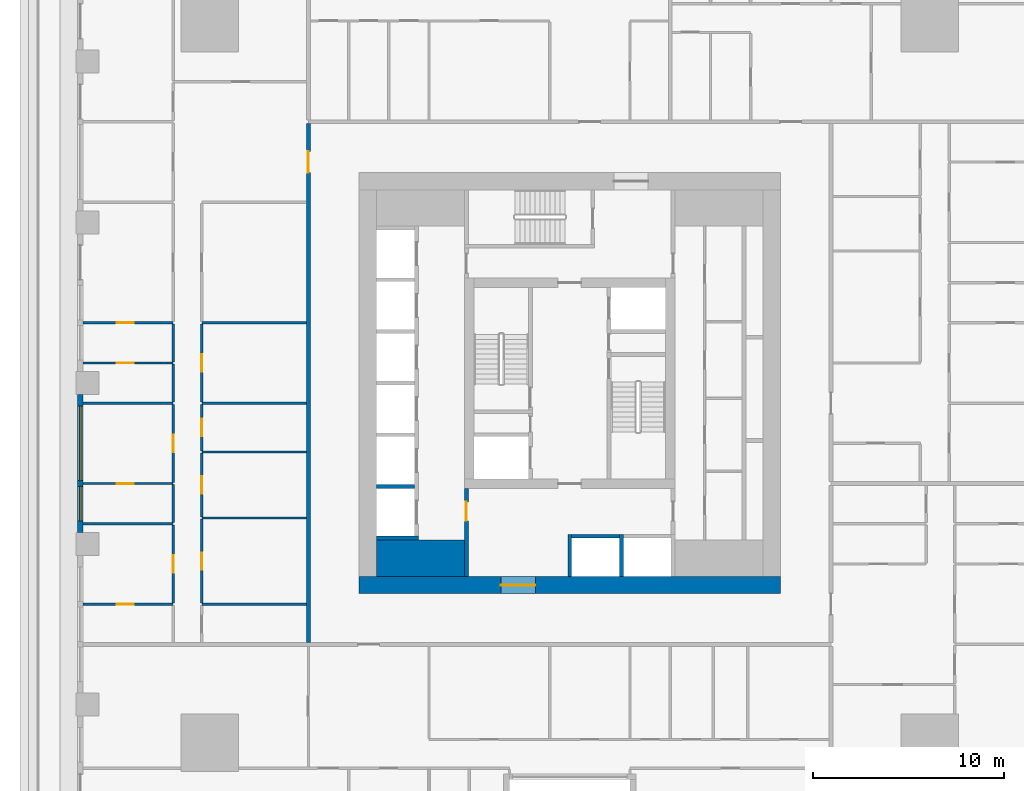
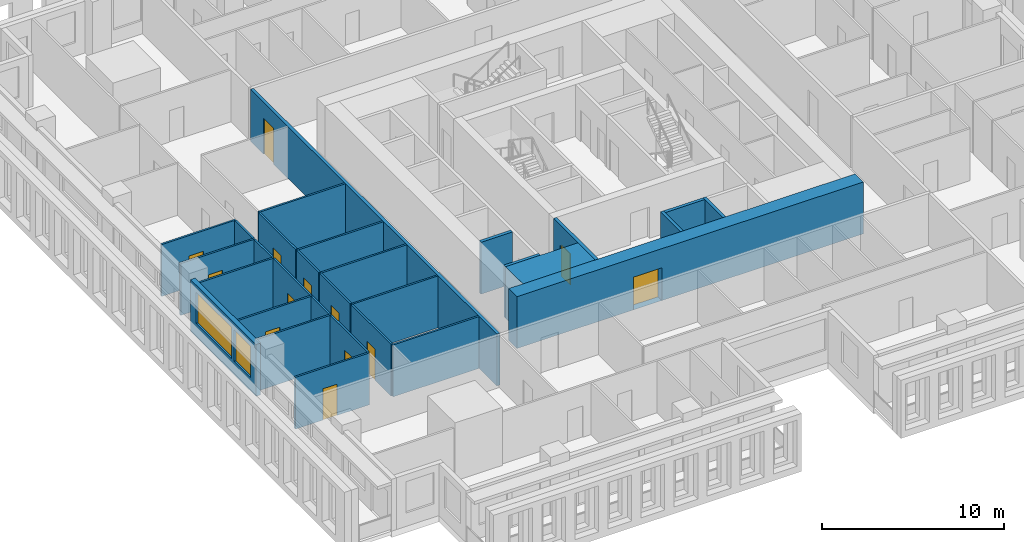
# One storey, part 3 of 15: 30 walls, 13 doors, 2 windows, 15 openings.
"""IFC4 building model written with IfcOpenShell, lengths in metres."""

from ifc_helpers import new_model, si_unit, direction, frame, frame_2d, origin, place, context, subcontext, project, spatial, rectangle, extrude, material, layer, layer_set, type_object, element, fill, save


model = new_model("IFC4")

# Units and contexts
model_context = context("Model", 3, precision=1e-05, world=origin(), true_north=direction((0.0, 1.0)))
body_context = subcontext(model_context, "Body", "Model", "MODEL_VIEW")
ifc_project = project(units=[si_unit("LENGTHUNIT", "METRE"), si_unit("AREAUNIT", "SQUARE_METRE"), si_unit("VOLUMEUNIT", "CUBIC_METRE"), si_unit("PLANEANGLEUNIT", "RADIAN"), si_unit("MASSUNIT", "GRAM", prefix="KILO")], contexts=[model_context])

# Site, building, storey
site_placement = place(None, origin())
site = spatial("IfcSite", under=ifc_project, at=site_placement, CompositionType="ELEMENT")
building_placement = place(site_placement, origin())
building = spatial("IfcBuilding", under=site, at=building_placement, Name="Khepri Terraces", CompositionType="ELEMENT")
storey_placement = place(building_placement, frame((0.0, 0.0, 30.89990234375)))
storey = spatial("IfcBuildingStorey", under=building, at=storey_placement, Name="L06", CompositionType="ELEMENT", Elevation=30.89990234375)

# Walls
ifc_material_1 = material(Name="Concrete C80/95", Category="concrete")
ifc_layer_1 = layer(ifc_material_1, 1.89990234375, Name="Concrete C80/95", Category="concrete")
ifc_layer_set_1 = layer_set([ifc_layer_1], Name="Concrete C80/95")
wall_type_1 = type_object("IfcWallType", Name="Core wall 1900 C80/95", PredefinedType="SHEAR", material=ifc_layer_set_1)
wall_1_placement = place(storey_placement, frame((-10.10009765625, -9.14990234375, 0.0), z_axis=(0.0, 0.0, 1.0), x_axis=(1.0, 0.0, 0.0)))
element("IfcWall", 1, at=wall_1_placement, inside=storey, type_object=wall_type_1, Name="Core wall PR01 L06", PredefinedType="SHEAR", context=body_context, shape_type="SweptSolid", body=[
    extrude(rectangle(XDim=4.60009765625, YDim=1.89990234375, at=frame_2d((2.300048828125, 0.0))), origin(), (0.0, 0.0, 1.0), 3.47998046875),
])
ifc_layer_2 = layer(ifc_material_1, 0.199951171875, Name="Concrete C80/95", Category="concrete")
ifc_layer_set_2 = layer_set([ifc_layer_2], Name="Concrete C80/95")
wall_type_2 = type_object("IfcWallType", Name="Core wall 200 C80/95", PredefinedType="SHEAR", material=ifc_layer_set_2)
for number, where, z_axis, x_axis, name in (
    (2, (0.0, -10.10009765625, 0.0), (0.0, 0.0, 1.0), (0.0, 1.0, 0.0), "Core wall SH01 L06"),
    (3, (2.699951171875, -10.10009765625, 0.0), (0.0, 0.0, 1.0), (0.0, 1.0, 0.0), "Core wall SH02 L06"),
    (4, (-10.10009765625, -8.10009765625, 0.0), (0.0, 0.0, 1.0), (1.0, 0.0, 0.0), "Core wall SH04 L06"),
):
    element("IfcWall", number, at=place(storey_placement, frame(where, z_axis=z_axis, x_axis=x_axis)), inside=storey, type_object=wall_type_2, Name=name, PredefinedType="SHEAR", context=body_context, shape_type="SweptSolid", body=[
        extrude(rectangle(XDim=2.2001953125, YDim=0.199951171875, at=frame_2d((1.10009765625, 0.0))), origin(), (0.0, 0.0, 1.0), 3.47998046875),
    ])
wall_2_placement = place(storey_placement, frame((0.10009765625, -8.0, 0.0), z_axis=(0.0, 0.0, 1.0), x_axis=(1.0, 0.0, 0.0)))
element("IfcWall", 5, at=wall_2_placement, inside=storey, type_object=wall_type_2, Name="Core wall SH06 L06", PredefinedType="SHEAR", context=body_context, shape_type="SweptSolid", body=[
    extrude(rectangle(XDim=2.5, YDim=0.199951171875, at=frame_2d((1.25, 0.0))), origin(), (0.0, 0.0, 1.0), 3.47998046875),
])
wall_3_placement = place(storey_placement, frame((-10.10009765625, -5.39990234375, 0.0), z_axis=(0.0, 0.0, 1.0), x_axis=(1.0, 0.0, 0.0)))
element("IfcWall", 6, at=wall_3_placement, inside=storey, type_object=wall_type_2, Name="Core wall SH09 L06", PredefinedType="SHEAR", context=body_context, shape_type="SweptSolid", body=[
    extrude(rectangle(XDim=2.0, YDim=0.199951171875, at=frame_2d((1.0, 0.0))), origin(), (0.0, 0.0, 1.0), 3.47998046875),
])

# Wall, opening, door
ifc_layer_3 = layer(ifc_material_1, 0.89990234375, Name="Concrete C80/95", Category="concrete")
ifc_layer_set_3 = layer_set([ifc_layer_3], Name="Concrete C80/95")
wall_type_3 = type_object("IfcWallType", Name="Core wall 900 C80/95", PredefinedType="SHEAR", material=ifc_layer_set_3)
wall_4_placement = place(storey_placement, frame((-11.0, -10.550048828125, 0.0), z_axis=(0.0, 0.0, 1.0), x_axis=(1.0, 0.0, 0.0)))
wall_4 = element("IfcWall", 7, at=wall_4_placement, inside=storey, type_object=wall_type_3, Name="Core wall OW-S L06", PredefinedType="SHEAR", context=body_context, shape_type="SweptSolid", body=[
    extrude(rectangle(XDim=22.0, YDim=0.89990234375, at=frame_2d((11.0, 0.0))), origin(), (0.0, 0.0, 1.0), 3.47998046875),
])
opening_1_placement = place(wall_4_placement, frame((7.39990234375, 0.0, 0.0)))
opening_1 = element("IfcOpeningElement", 8, at=opening_1_placement, cuts=wall_4, Name="Opening L06-C21", PredefinedType="OPENING", context=body_context, shape_type="SweptSolid", body=[
    extrude(rectangle(XDim=1.800048828125, YDim=2.199951171875, at=frame_2d((0.89990234375, 1.10009765625))), frame((0.0, 0.4599609375, 0.0), z_axis=(0.0, -1.0, 0.0), x_axis=(1.0, 0.0, 0.0)), (0.0, 0.0, 1.0), 0.919921875),
])
ifc_material_2 = material(Name="Painted steel", Category="steel")
door_type_1 = type_object("IfcDoorType", Name="DR-CORE-ENTRANCE-1800", OperationType="NOTDEFINED", PredefinedType="DOOR", material=ifc_material_2)
door_1_placement = place(opening_1_placement, frame((1.800048828125, 0.0, 0.0), z_axis=(0.0, 0.0, 1.0), x_axis=(-1.0, 0.0, 0.0)))
door_1 = element("IfcDoor", 9, at=door_1_placement, inside=storey, type_object=door_type_1, Name="Core entrance door pair L06-C21", OperationType="DOUBLE_DOOR_SINGLE_SWING", OverallHeight=2.199951171875, OverallWidth=1.800048828125, PredefinedType="DOOR", context=body_context, shape_type="SweptSolid", body=[
    extrude(rectangle(XDim=1.800048828125, YDim=2.199951171875, at=frame_2d((0.89990234375, 1.10009765625))), frame((0.0, 0.02490234375, 0.0), z_axis=(0.0, -1.0, 0.0), x_axis=(1.0, 0.0, 0.0)), (0.0, 0.0, 1.0), 0.050048828125),
])
fill(opening_1, door_1)

ifc_material_3 = material(Name="Fire-rated gypsum board partition")
ifc_layer_4 = layer(ifc_material_3, 0.199951171875, Name="Fire-rated gypsum board partition")
ifc_layer_set_4 = layer_set([ifc_layer_4], Name="Fire-rated gypsum board partition")
wall_type_4 = type_object("IfcWallType", Name="WL-CORE-PART-200", PredefinedType="PARTITIONING", material=ifc_layer_set_4)
wall_5_placement = place(storey_placement, frame((-5.39990234375, -10.10009765625, 0.0), z_axis=(0.0, 0.0, 1.0), x_axis=(0.0, 1.0, 0.0)))
wall_5 = element("IfcWall", 10, at=wall_5_placement, inside=storey, type_object=wall_type_4, Name="Core partition PT01 L06", PredefinedType="PARTITIONING", context=body_context, shape_type="SweptSolid", body=[
    extrude(rectangle(XDim=4.60009765625, YDim=0.199951171875, at=frame_2d((2.300048828125, 0.0))), origin(), (0.0, 0.0, 1.0), 3.47998046875),
])
opening_2_placement = place(wall_5_placement, frame((2.89990234375, 0.0, 0.0)))
opening_2 = element("IfcOpeningElement", 11, at=opening_2_placement, cuts=wall_5, Name="Opening L06-C18", PredefinedType="OPENING", context=body_context, shape_type="SweptSolid", body=[
    extrude(rectangle(XDim=1.0, YDim=2.10009765625, at=frame_2d((0.5, 1.050048828125))), frame((0.0, 0.10986328125, 0.0), z_axis=(0.0, -1.0, 0.0), x_axis=(1.0, 0.0, 0.0)), (0.0, 0.0, 1.0), 0.219970703125),
])
door_type_2 = type_object("IfcDoorType", Name="DR-CORE-LOBBY-1000", OperationType="NOTDEFINED", PredefinedType="DOOR", material=ifc_material_2)
door_2_placement = place(opening_2_placement, frame((1.0, 0.0, 0.0), z_axis=(0.0, 0.0, 1.0), x_axis=(-1.0, 0.0, 0.0)))
door_2 = element("IfcDoor", 12, at=door_2_placement, inside=storey, type_object=door_type_2, Name="Lobby door L06-C18", OperationType="SINGLE_SWING_LEFT", OverallHeight=2.10009765625, OverallWidth=1.0, PredefinedType="DOOR", context=body_context, shape_type="SweptSolid", body=[
    extrude(rectangle(XDim=1.0, YDim=2.10009765625, at=frame_2d((0.5, 1.050048828125))), frame((0.0, 0.02490234375, 0.0), z_axis=(0.0, -1.0, 0.0), x_axis=(1.0, 0.0, 0.0)), (0.0, 0.0, 1.0), 0.050048828125),
])
fill(opening_2, door_2)

ifc_material_4 = material(Name="Fire-rated gypsum plasterboard partition, mineral wool")
ifc_layer_5 = layer(ifc_material_4, 0.199951171875, Name="Fire-rated gypsum plasterboard partition, mineral wool")
ifc_layer_set_5 = layer_set([ifc_layer_5], Name="Fire-rated gypsum plasterboard partition, mineral wool")
wall_type_5 = type_object("IfcWallType", Name="WL-CORR-200", PredefinedType="PARTITIONING", material=ifc_layer_set_5)
wall_6_placement = place(storey_placement, frame((-13.64990234375, -13.550048828125, 0.0), z_axis=(0.0, 0.0, 1.0), x_axis=(0.0, 1.0, 0.0)))
wall_6 = element("IfcWall", 13, at=wall_6_placement, inside=storey, type_object=wall_type_5, Name="Partition P-027 L06", PredefinedType="PARTITIONING", context=body_context, shape_type="SweptSolid", body=[
    extrude(rectangle(XDim=27.10009765625, YDim=0.199951171875, at=frame_2d((13.550048828125, 0.0))), origin(), (0.0, 0.0, 1.0), 3.47998046875),
])
opening_3_placement = place(wall_6_placement, frame((24.550048828125, 0.0, 0.0)))
opening_3 = element("IfcOpeningElement", 14, at=opening_3_placement, cuts=wall_6, Name="Opening D1", PredefinedType="OPENING", context=body_context, shape_type="SweptSolid", body=[
    extrude(rectangle(XDim=1.10009765625, YDim=2.39990234375, at=frame_2d((0.550048828125, 1.199951171875))), frame((0.0, 0.10986328125, 0.0), z_axis=(0.0, -1.0, 0.0), x_axis=(1.0, 0.0, 0.0)), (0.0, 0.0, 1.0), 0.219970703125),
])
ifc_material_5 = material(Name="Solid-core timber door leaf, flat entrance door", Category="wood")
door_type_3 = type_object("IfcDoorType", Name="DR-ENT-1100", OperationType="NOTDEFINED", PredefinedType="DOOR", material=ifc_material_5)
door_3_placement = place(opening_3_placement, origin())
door_3 = element("IfcDoor", 15, at=door_3_placement, inside=storey, type_object=door_type_3, Name="Flat D1 entrance door", OperationType="SINGLE_SWING_RIGHT", OverallHeight=2.39990234375, OverallWidth=1.10009765625, PredefinedType="DOOR", context=body_context, shape_type="SweptSolid", body=[
    extrude(rectangle(XDim=1.10009765625, YDim=2.39990234375, at=frame_2d((0.550048828125, 1.199951171875))), frame((0.0, 0.02490234375, 0.0), z_axis=(0.0, -1.0, 0.0), x_axis=(1.0, 0.0, 0.0)), (0.0, 0.0, 1.0), 0.050048828125),
])
fill(opening_3, door_3)

# Wall, openings, windows
ifc_material_6 = material(Name="Precast concrete C50/60 warm stone", Category="masonry")
ifc_layer_6 = layer(ifc_material_6, 0.300048828125, Name="Precast concrete C50/60 warm stone", Category="masonry")
ifc_layer_set_6 = layer_set([ifc_layer_6], Name="Precast concrete C50/60 warm stone")
wall_type_6 = type_object("IfcWallType", Name="WL-EXT-PRECAST-300", PredefinedType="STANDARD", material=ifc_layer_set_6)
wall_7_placement = place(storey_placement, frame((-25.570068359375, -0.60009765625, 0.0), z_axis=(0.0, 0.0, 1.0), x_axis=(0.0, -1.0, 0.0)))
wall_7 = element("IfcWall", 16, at=wall_7_placement, inside=storey, type_object=wall_type_6, Name="External wall L06 W", PredefinedType="STANDARD", context=body_context, shape_type="SweptSolid", body=[
    extrude(rectangle(XDim=7.199951171875, YDim=0.300048828125, at=frame_2d((3.60009765625, 0.0))), origin(), (0.0, 0.0, 1.0), 3.47998046875),
])
opening_4_placement = place(wall_7_placement, frame((0.60009765625, 0.0, 0.89990234375)))
opening_4 = element("IfcOpeningElement", 17, at=opening_4_placement, cuts=wall_7, Name="Opening W2", PredefinedType="OPENING", context=body_context, shape_type="SweptSolid", body=[
    extrude(rectangle(XDim=3.89990234375, YDim=2.10009765625, at=frame_2d((1.949951171875, 1.050048828125))), frame((0.0, 0.16015625, 0.0), z_axis=(0.0, -1.0, 0.0), x_axis=(1.0, 0.0, 0.0)), (0.0, 0.0, 1.0), 0.320068359375),
])
opening_5_placement = place(wall_7_placement, frame((4.800048828125, 0.0, 0.89990234375)))
opening_5 = element("IfcOpeningElement", 18, at=opening_5_placement, cuts=wall_7, Name="Opening W1", PredefinedType="OPENING", context=body_context, shape_type="SweptSolid", body=[
    extrude(rectangle(XDim=1.800048828125, YDim=2.10009765625, at=frame_2d((0.89990234375, 1.050048828125))), frame((0.0, 0.16015625, 0.0), z_axis=(0.0, -1.0, 0.0), x_axis=(1.0, 0.0, 0.0)), (0.0, 0.0, 1.0), 0.320068359375),
])
ifc_material_7 = material(Name="Clear glass", Category="glass")
window_type_1 = type_object("IfcWindowType", Name="WIN-RES-1800x2100", PartitioningType="SINGLE_PANEL", PredefinedType="WINDOW", material=ifc_material_7)
window_1_placement = place(opening_5_placement, origin())
window_1 = element("IfcWindow", 19, at=window_1_placement, inside=storey, type_object=window_type_1, Name="Window L06 W", OverallHeight=2.10009765625, OverallWidth=1.800048828125, PartitioningType="SINGLE_PANEL", PredefinedType="WINDOW", context=body_context, shape_type="SweptSolid", body=[
    extrude(rectangle(XDim=1.800048828125, YDim=2.10009765625, at=frame_2d((0.89990234375, 1.050048828125))), frame((0.0, 0.030029296875, 0.0), z_axis=(0.0, -1.0, 0.0), x_axis=(1.0, 0.0, 0.0)), (0.0, 0.0, 1.0), 0.06005859375),
])
fill(opening_5, window_1)
window_type_2 = type_object("IfcWindowType", Name="WIN-RES-3900x2100", PartitioningType="SINGLE_PANEL", PredefinedType="WINDOW", material=ifc_material_7)
window_2_placement = place(opening_4_placement, origin())
window_2 = element("IfcWindow", 20, at=window_2_placement, inside=storey, type_object=window_type_2, Name="Window L06 W", OverallHeight=2.10009765625, OverallWidth=3.89990234375, PartitioningType="SINGLE_PANEL", PredefinedType="WINDOW", context=body_context, shape_type="SweptSolid", body=[
    extrude(rectangle(XDim=3.89990234375, YDim=2.10009765625, at=frame_2d((1.949951171875, 1.050048828125))), frame((0.0, 0.030029296875, 0.0), z_axis=(0.0, -1.0, 0.0), x_axis=(1.0, 0.0, 0.0)), (0.0, 0.0, 1.0), 0.06005859375),
])
fill(opening_4, window_2)

# Wall, opening, door
ifc_material_8 = material(Name="Gypsum plasterboard partition")
ifc_layer_7 = layer(ifc_material_8, 0.1201171875, Name="Gypsum plasterboard partition")
ifc_layer_set_7 = layer_set([ifc_layer_7], Name="Gypsum plasterboard partition")
wall_type_7 = type_object("IfcWallType", Name="WL-PART-120", PredefinedType="PARTITIONING", material=ifc_layer_set_7)
wall_8_placement = place(storey_placement, frame((-25.419921875, -11.550048828125, 0.0), z_axis=(0.0, 0.0, 1.0), x_axis=(1.0, 0.0, 0.0)))
wall_8 = element("IfcWall", 21, at=wall_8_placement, inside=storey, type_object=wall_type_7, Name="Partition P-029 L06", PredefinedType="PARTITIONING", context=body_context, shape_type="SweptSolid", body=[
    extrude(rectangle(XDim=4.699951171875, YDim=0.1201171875, at=frame_2d((2.35009765625, 0.0))), origin(), (0.0, 0.0, 1.0), 3.47998046875),
])
opening_6_placement = place(wall_8_placement, frame((1.75, 0.0, 0.0)))
opening_6 = element("IfcOpeningElement", 22, at=opening_6_placement, cuts=wall_8, Name="Opening D4", PredefinedType="OPENING", context=body_context, shape_type="SweptSolid", body=[
    extrude(rectangle(XDim=0.89990234375, YDim=2.10009765625, at=frame_2d((0.449951171875, 1.050048828125))), frame((0.0, 0.070068359375, 0.0), z_axis=(0.0, -1.0, 0.0), x_axis=(1.0, 0.0, 0.0)), (0.0, 0.0, 1.0), 0.14013671875),
])
ifc_material_9 = material(Name="Timber door leaf, moisture resistant", Category="wood")
door_type_4 = type_object("IfcDoorType", Name="DR-WET-900", OperationType="NOTDEFINED", PredefinedType="DOOR", material=ifc_material_9)
door_4_placement = place(opening_6_placement, frame((0.89990234375, 0.0, 0.0), z_axis=(0.0, 0.0, 1.0), x_axis=(-1.0, 0.0, 0.0)))
door_4 = element("IfcDoor", 23, at=door_4_placement, inside=storey, type_object=door_type_4, Name="Door Bathroom", OperationType="SINGLE_SWING_RIGHT", OverallHeight=2.10009765625, OverallWidth=0.89990234375, PredefinedType="DOOR", context=body_context, shape_type="SweptSolid", body=[
    extrude(rectangle(XDim=0.89990234375, YDim=2.10009765625, at=frame_2d((0.449951171875, 1.050048828125))), frame((0.0, 0.02490234375, 0.0), z_axis=(0.0, -1.0, 0.0), x_axis=(1.0, 0.0, 0.0)), (0.0, 0.0, 1.0), 0.050048828125),
])
fill(opening_6, door_4)

# Wall
wall_9_placement = place(storey_placement, frame((-19.219970703125, -11.550048828125, 0.0), z_axis=(0.0, 0.0, 1.0), x_axis=(1.0, 0.0, 0.0)))
element("IfcWall", 24, at=wall_9_placement, inside=storey, type_object=wall_type_7, Name="Partition P-030 L06", PredefinedType="PARTITIONING", context=body_context, shape_type="SweptSolid", body=[
    extrude(rectangle(XDim=5.469970703125, YDim=0.1201171875, at=frame_2d((2.73486328125, 0.0))), origin(), (0.0, 0.0, 1.0), 3.47998046875),
])

# Wall, opening, door
wall_10_placement = place(storey_placement, frame((-20.719970703125, -11.489990234375, 0.0), z_axis=(0.0, 0.0, 1.0), x_axis=(0.0, 1.0, 0.0)))
wall_10 = element("IfcWall", 25, at=wall_10_placement, inside=storey, type_object=wall_type_7, Name="Partition P-031 L06", PredefinedType="PARTITIONING", context=body_context, shape_type="SweptSolid", body=[
    extrude(rectangle(XDim=4.080078125, YDim=0.1201171875, at=frame_2d((2.0400390625, 0.0))), origin(), (0.0, 0.0, 1.0), 3.47998046875),
])
opening_7_placement = place(wall_10_placement, frame((1.590087890625, 0.0, 0.0)))
opening_7 = element("IfcOpeningElement", 26, at=opening_7_placement, cuts=wall_10, Name="Opening D3", PredefinedType="OPENING", context=body_context, shape_type="SweptSolid", body=[
    extrude(rectangle(XDim=0.89990234375, YDim=2.10009765625, at=frame_2d((0.449951171875, 1.050048828125))), frame((0.0, 0.070068359375, 0.0), z_axis=(0.0, -1.0, 0.0), x_axis=(1.0, 0.0, 0.0)), (0.0, 0.0, 1.0), 0.14013671875),
])
ifc_material_10 = material(Name="Timber door leaf", Category="wood")
door_type_5 = type_object("IfcDoorType", Name="DR-INT-900", OperationType="NOTDEFINED", PredefinedType="DOOR", material=ifc_material_10)
door_5_placement = place(opening_7_placement, origin())
door_5 = element("IfcDoor", 27, at=door_5_placement, inside=storey, type_object=door_type_5, Name="Door Bedroom", OperationType="SINGLE_SWING_RIGHT", OverallHeight=2.10009765625, OverallWidth=0.89990234375, PredefinedType="DOOR", context=body_context, shape_type="SweptSolid", body=[
    extrude(rectangle(XDim=0.89990234375, YDim=2.10009765625, at=frame_2d((0.449951171875, 1.050048828125))), frame((0.0, 0.02490234375, 0.0), z_axis=(0.0, -1.0, 0.0), x_axis=(1.0, 0.0, 0.0)), (0.0, 0.0, 1.0), 0.050048828125),
])
fill(opening_7, door_5)

wall_11_placement = place(storey_placement, frame((-19.219970703125, -11.489990234375, 0.0), z_axis=(0.0, 0.0, 1.0), x_axis=(0.0, 1.0, 0.0)))
wall_11 = element("IfcWall", 28, at=wall_11_placement, inside=storey, type_object=wall_type_7, Name="Partition P-032 L06", PredefinedType="PARTITIONING", context=body_context, shape_type="SweptSolid", body=[
    extrude(rectangle(XDim=4.3798828125, YDim=0.1201171875, at=frame_2d((2.18994140625, 0.0))), origin(), (0.0, 0.0, 1.0), 3.47998046875),
])
opening_8_placement = place(wall_11_placement, frame((1.739990234375, 0.0, 0.0)))
opening_8 = element("IfcOpeningElement", 29, at=opening_8_placement, cuts=wall_11, Name="Opening D4", PredefinedType="OPENING", context=body_context, shape_type="SweptSolid", body=[
    extrude(rectangle(XDim=0.89990234375, YDim=2.10009765625, at=frame_2d((0.449951171875, 1.050048828125))), frame((0.0, 0.070068359375, 0.0), z_axis=(0.0, -1.0, 0.0), x_axis=(1.0, 0.0, 0.0)), (0.0, 0.0, 1.0), 0.14013671875),
])
door_6_placement = place(opening_8_placement, frame((0.89990234375, 0.0, 0.0), z_axis=(0.0, 0.0, 1.0), x_axis=(-1.0, 0.0, 0.0)))
door_6 = element("IfcDoor", 30, at=door_6_placement, inside=storey, type_object=door_type_4, Name="Door Guest Bathroom", OperationType="SINGLE_SWING_RIGHT", OverallHeight=2.10009765625, OverallWidth=0.89990234375, PredefinedType="DOOR", context=body_context, shape_type="SweptSolid", body=[
    extrude(rectangle(XDim=0.89990234375, YDim=2.10009765625, at=frame_2d((0.449951171875, 1.050048828125))), frame((0.0, 0.02490234375, 0.0), z_axis=(0.0, -1.0, 0.0), x_axis=(1.0, 0.0, 0.0)), (0.0, 0.0, 1.0), 0.050048828125),
])
fill(opening_8, door_6)

# Walls
wall_12_placement = place(storey_placement, frame((-25.419921875, -7.35009765625, 0.0), z_axis=(0.0, 0.0, 1.0), x_axis=(1.0, 0.0, 0.0)))
element("IfcWall", 31, at=wall_12_placement, inside=storey, type_object=wall_type_7, Name="Partition P-037 L06", PredefinedType="PARTITIONING", context=body_context, shape_type="SweptSolid", body=[
    extrude(rectangle(XDim=4.699951171875, YDim=0.1201171875, at=frame_2d((2.35009765625, 0.0))), origin(), (0.0, 0.0, 1.0), 3.47998046875),
])
wall_13_placement = place(storey_placement, frame((-20.719970703125, -7.2900390625, 0.0), z_axis=(0.0, 0.0, 1.0), x_axis=(0.0, 1.0, 0.0)))
element("IfcWall", 32, at=wall_13_placement, inside=storey, type_object=wall_type_7, Name="Partition P-040 L06", PredefinedType="PARTITIONING", context=body_context, shape_type="SweptSolid", body=[
    extrude(rectangle(XDim=1.97998046875, YDim=0.1201171875, at=frame_2d((0.989990234375, 0.0))), origin(), (0.0, 0.0, 1.0), 3.47998046875),
])
wall_14_placement = place(storey_placement, frame((-19.219970703125, -7.050048828125, 0.0), z_axis=(0.0, 0.0, 1.0), x_axis=(1.0, 0.0, 0.0)))
element("IfcWall", 33, at=wall_14_placement, inside=storey, type_object=wall_type_7, Name="Partition P-043 L06", PredefinedType="PARTITIONING", context=body_context, shape_type="SweptSolid", body=[
    extrude(rectangle(XDim=5.469970703125, YDim=0.1201171875, at=frame_2d((2.73486328125, 0.0))), origin(), (0.0, 0.0, 1.0), 3.47998046875),
])

# Wall, opening, door
wall_15_placement = place(storey_placement, frame((-19.219970703125, -6.989990234375, 0.0), z_axis=(0.0, 0.0, 1.0), x_axis=(0.0, 1.0, 0.0)))
wall_15 = element("IfcWall", 34, at=wall_15_placement, inside=storey, type_object=wall_type_7, Name="Partition P-044 L06", PredefinedType="PARTITIONING", context=body_context, shape_type="SweptSolid", body=[
    extrude(rectangle(XDim=3.330078125, YDim=0.1201171875, at=frame_2d((1.6650390625, 0.0))), origin(), (0.0, 0.0, 1.0), 3.47998046875),
])
opening_9_placement = place(wall_15_placement, frame((1.215087890625, 0.0, 0.0)))
opening_9 = element("IfcOpeningElement", 35, at=opening_9_placement, cuts=wall_15, Name="Opening D3", PredefinedType="OPENING", context=body_context, shape_type="SweptSolid", body=[
    extrude(rectangle(XDim=0.89990234375, YDim=2.10009765625, at=frame_2d((0.449951171875, 1.050048828125))), frame((0.0, 0.070068359375, 0.0), z_axis=(0.0, -1.0, 0.0), x_axis=(1.0, 0.0, 0.0)), (0.0, 0.0, 1.0), 0.14013671875),
])
door_7_placement = place(opening_9_placement, frame((0.89990234375, 0.0, 0.0), z_axis=(0.0, 0.0, 1.0), x_axis=(-1.0, 0.0, 0.0)))
door_7 = element("IfcDoor", 36, at=door_7_placement, inside=storey, type_object=door_type_5, Name="Door Utility Room", OperationType="SINGLE_SWING_LEFT", OverallHeight=2.10009765625, OverallWidth=0.89990234375, PredefinedType="DOOR", context=body_context, shape_type="SweptSolid", body=[
    extrude(rectangle(XDim=0.89990234375, YDim=2.10009765625, at=frame_2d((0.449951171875, 1.050048828125))), frame((0.0, 0.02490234375, 0.0), z_axis=(0.0, -1.0, 0.0), x_axis=(1.0, 0.0, 0.0)), (0.0, 0.0, 1.0), 0.050048828125),
])
fill(opening_9, door_7)

wall_16_placement = place(storey_placement, frame((-25.419921875, -5.25, 0.0), z_axis=(0.0, 0.0, 1.0), x_axis=(1.0, 0.0, 0.0)))
wall_16 = element("IfcWall", 37, at=wall_16_placement, inside=storey, type_object=wall_type_7, Name="Partition P-045 L06", PredefinedType="PARTITIONING", context=body_context, shape_type="SweptSolid", body=[
    extrude(rectangle(XDim=4.699951171875, YDim=0.1201171875, at=frame_2d((2.35009765625, 0.0))), origin(), (0.0, 0.0, 1.0), 3.47998046875),
])
opening_10_placement = place(wall_16_placement, frame((1.75, 0.0, 0.0)))
opening_10 = element("IfcOpeningElement", 38, at=opening_10_placement, cuts=wall_16, Name="Opening D4", PredefinedType="OPENING", context=body_context, shape_type="SweptSolid", body=[
    extrude(rectangle(XDim=0.89990234375, YDim=2.10009765625, at=frame_2d((0.449951171875, 1.050048828125))), frame((0.0, 0.070068359375, 0.0), z_axis=(0.0, -1.0, 0.0), x_axis=(1.0, 0.0, 0.0)), (0.0, 0.0, 1.0), 0.14013671875),
])
door_8_placement = place(opening_10_placement, frame((0.89990234375, 0.0, 0.0), z_axis=(0.0, 0.0, 1.0), x_axis=(-1.0, 0.0, 0.0)))
door_8 = element("IfcDoor", 39, at=door_8_placement, inside=storey, type_object=door_type_4, Name="Door Bathroom", OperationType="SINGLE_SWING_RIGHT", OverallHeight=2.10009765625, OverallWidth=0.89990234375, PredefinedType="DOOR", context=body_context, shape_type="SweptSolid", body=[
    extrude(rectangle(XDim=0.89990234375, YDim=2.10009765625, at=frame_2d((0.449951171875, 1.050048828125))), frame((0.0, 0.02490234375, 0.0), z_axis=(0.0, -1.0, 0.0), x_axis=(1.0, 0.0, 0.0)), (0.0, 0.0, 1.0), 0.050048828125),
])
fill(opening_10, door_8)

wall_17_placement = place(storey_placement, frame((-20.719970703125, -5.18994140625, 0.0), z_axis=(0.0, 0.0, 1.0), x_axis=(0.0, 1.0, 0.0)))
wall_17 = element("IfcWall", 40, at=wall_17_placement, inside=storey, type_object=wall_type_7, Name="Partition P-047 L06", PredefinedType="PARTITIONING", context=body_context, shape_type="SweptSolid", body=[
    extrude(rectangle(XDim=4.079833984375, YDim=0.1201171875, at=frame_2d((2.0400390625, 0.0))), origin(), (0.0, 0.0, 1.0), 3.47998046875),
])
opening_11_placement = place(wall_17_placement, frame((1.590087890625, 0.0, 0.0)))
opening_11 = element("IfcOpeningElement", 41, at=opening_11_placement, cuts=wall_17, Name="Opening D3", PredefinedType="OPENING", context=body_context, shape_type="SweptSolid", body=[
    extrude(rectangle(XDim=0.89990234375, YDim=2.10009765625, at=frame_2d((0.449951171875, 1.050048828125))), frame((0.0, 0.070068359375, 0.0), z_axis=(0.0, -1.0, 0.0), x_axis=(1.0, 0.0, 0.0)), (0.0, 0.0, 1.0), 0.14013671875),
])
door_9_placement = place(opening_11_placement, origin())
door_9 = element("IfcDoor", 42, at=door_9_placement, inside=storey, type_object=door_type_5, Name="Door Bedroom", OperationType="SINGLE_SWING_RIGHT", OverallHeight=2.10009765625, OverallWidth=0.89990234375, PredefinedType="DOOR", context=body_context, shape_type="SweptSolid", body=[
    extrude(rectangle(XDim=0.89990234375, YDim=2.10009765625, at=frame_2d((0.449951171875, 1.050048828125))), frame((0.0, 0.02490234375, 0.0), z_axis=(0.0, -1.0, 0.0), x_axis=(1.0, 0.0, 0.0)), (0.0, 0.0, 1.0), 0.050048828125),
])
fill(opening_11, door_9)

# Wall
wall_18_placement = place(storey_placement, frame((-19.219970703125, -3.60009765625, 0.0), z_axis=(0.0, 0.0, 1.0), x_axis=(1.0, 0.0, 0.0)))
element("IfcWall", 43, at=wall_18_placement, inside=storey, type_object=wall_type_7, Name="Partition P-051 L06", PredefinedType="PARTITIONING", context=body_context, shape_type="SweptSolid", body=[
    extrude(rectangle(XDim=5.469970703125, YDim=0.1201171875, at=frame_2d((2.73486328125, 0.0))), origin(), (0.0, 0.0, 1.0), 3.47998046875),
])

# Wall, opening, door
wall_19_placement = place(storey_placement, frame((-19.219970703125, -3.5400390625, 0.0), z_axis=(0.0, 0.0, 1.0), x_axis=(0.0, 1.0, 0.0)))
wall_19 = element("IfcWall", 44, at=wall_19_placement, inside=storey, type_object=wall_type_7, Name="Partition P-052 L06", PredefinedType="PARTITIONING", context=body_context, shape_type="SweptSolid", body=[
    extrude(rectangle(XDim=2.429931640625, YDim=0.1201171875, at=frame_2d((1.21484375, 0.0))), origin(), (0.0, 0.0, 1.0), 3.47998046875),
])
opening_12_placement = place(wall_19_placement, frame((0.764892578125, 0.0, 0.0)))
opening_12 = element("IfcOpeningElement", 45, at=opening_12_placement, cuts=wall_19, Name="Opening D4", PredefinedType="OPENING", context=body_context, shape_type="SweptSolid", body=[
    extrude(rectangle(XDim=0.89990234375, YDim=2.10009765625, at=frame_2d((0.449951171875, 1.050048828125))), frame((0.0, 0.070068359375, 0.0), z_axis=(0.0, -1.0, 0.0), x_axis=(1.0, 0.0, 0.0)), (0.0, 0.0, 1.0), 0.14013671875),
])
door_10_placement = place(opening_12_placement, frame((0.89990234375, 0.0, 0.0), z_axis=(0.0, 0.0, 1.0), x_axis=(-1.0, 0.0, 0.0)))
door_10 = element("IfcDoor", 46, at=door_10_placement, inside=storey, type_object=door_type_4, Name="Door Powder Room", OperationType="SINGLE_SWING_LEFT", OverallHeight=2.10009765625, OverallWidth=0.89990234375, PredefinedType="DOOR", context=body_context, shape_type="SweptSolid", body=[
    extrude(rectangle(XDim=0.89990234375, YDim=2.10009765625, at=frame_2d((0.449951171875, 1.050048828125))), frame((0.0, 0.02490234375, 0.0), z_axis=(0.0, -1.0, 0.0), x_axis=(1.0, 0.0, 0.0)), (0.0, 0.0, 1.0), 0.050048828125),
])
fill(opening_12, door_10)

# Walls
wall_20_placement = place(storey_placement, frame((-25.419921875, -1.050048828125, 0.0), z_axis=(0.0, 0.0, 1.0), x_axis=(1.0, 0.0, 0.0)))
element("IfcWall", 47, at=wall_20_placement, inside=storey, type_object=wall_type_7, Name="Partition P-054 L06", PredefinedType="PARTITIONING", context=body_context, shape_type="SweptSolid", body=[
    extrude(rectangle(XDim=4.699951171875, YDim=0.1201171875, at=frame_2d((2.35009765625, 0.0))), origin(), (0.0, 0.0, 1.0), 3.47998046875),
])
wall_21_placement = place(storey_placement, frame((-19.219970703125, -1.050048828125, 0.0), z_axis=(0.0, 0.0, 1.0), x_axis=(1.0, 0.0, 0.0)))
element("IfcWall", 48, at=wall_21_placement, inside=storey, type_object=wall_type_7, Name="Partition P-055 L06", PredefinedType="PARTITIONING", context=body_context, shape_type="SweptSolid", body=[
    extrude(rectangle(XDim=5.469970703125, YDim=0.1201171875, at=frame_2d((2.73486328125, 0.0))), origin(), (0.0, 0.0, 1.0), 3.47998046875),
])
wall_22_placement = place(storey_placement, frame((-20.719970703125, -0.989990234375, 0.0), z_axis=(0.0, 0.0, 1.0), x_axis=(0.0, 1.0, 0.0)))
element("IfcWall", 49, at=wall_22_placement, inside=storey, type_object=wall_type_7, Name="Partition P-057 L06", PredefinedType="PARTITIONING", context=body_context, shape_type="SweptSolid", body=[
    extrude(rectangle(XDim=1.97998046875, YDim=0.1201171875, at=frame_2d((0.989990234375, 0.0))), origin(), (0.0, 0.0, 1.0), 3.47998046875),
])

# Wall, opening, door
wall_23_placement = place(storey_placement, frame((-19.219970703125, -0.989990234375, 0.0), z_axis=(0.0, 0.0, 1.0), x_axis=(0.0, 1.0, 0.0)))
wall_23 = element("IfcWall", 50, at=wall_23_placement, inside=storey, type_object=wall_type_7, Name="Partition P-058 L06", PredefinedType="PARTITIONING", context=body_context, shape_type="SweptSolid", body=[
    extrude(rectangle(XDim=4.080078125, YDim=0.1201171875, at=frame_2d((2.0400390625, 0.0))), origin(), (0.0, 0.0, 1.0), 3.47998046875),
])
opening_13_placement = place(wall_23_placement, frame((1.590087890625, 0.0, 0.0)))
opening_13 = element("IfcOpeningElement", 51, at=opening_13_placement, cuts=wall_23, Name="Opening D3", PredefinedType="OPENING", context=body_context, shape_type="SweptSolid", body=[
    extrude(rectangle(XDim=0.89990234375, YDim=2.10009765625, at=frame_2d((0.449951171875, 1.050048828125))), frame((0.0, 0.070068359375, 0.0), z_axis=(0.0, -1.0, 0.0), x_axis=(1.0, 0.0, 0.0)), (0.0, 0.0, 1.0), 0.14013671875),
])
door_11_placement = place(opening_13_placement, frame((0.89990234375, 0.0, 0.0), z_axis=(0.0, 0.0, 1.0), x_axis=(-1.0, 0.0, 0.0)))
door_11 = element("IfcDoor", 52, at=door_11_placement, inside=storey, type_object=door_type_5, Name="Door Service Store", OperationType="SINGLE_SWING_LEFT", OverallHeight=2.10009765625, OverallWidth=0.89990234375, PredefinedType="DOOR", context=body_context, shape_type="SweptSolid", body=[
    extrude(rectangle(XDim=0.89990234375, YDim=2.10009765625, at=frame_2d((0.449951171875, 1.050048828125))), frame((0.0, 0.02490234375, 0.0), z_axis=(0.0, -1.0, 0.0), x_axis=(1.0, 0.0, 0.0)), (0.0, 0.0, 1.0), 0.050048828125),
])
fill(opening_13, door_11)

wall_24_placement = place(storey_placement, frame((-25.419921875, 1.050048828125, 0.0), z_axis=(0.0, 0.0, 1.0), x_axis=(1.0, 0.0, 0.0)))
wall_24 = element("IfcWall", 53, at=wall_24_placement, inside=storey, type_object=wall_type_7, Name="Partition P-060 L06", PredefinedType="PARTITIONING", context=body_context, shape_type="SweptSolid", body=[
    extrude(rectangle(XDim=4.699951171875, YDim=0.1201171875, at=frame_2d((2.35009765625, 0.0))), origin(), (0.0, 0.0, 1.0), 3.47998046875),
])
opening_14_placement = place(wall_24_placement, frame((1.75, 0.0, 0.0)))
opening_14 = element("IfcOpeningElement", 54, at=opening_14_placement, cuts=wall_24, Name="Opening D4", PredefinedType="OPENING", context=body_context, shape_type="SweptSolid", body=[
    extrude(rectangle(XDim=0.89990234375, YDim=2.10009765625, at=frame_2d((0.449951171875, 1.050048828125))), frame((0.0, 0.070068359375, 0.0), z_axis=(0.0, -1.0, 0.0), x_axis=(1.0, 0.0, 0.0)), (0.0, 0.0, 1.0), 0.14013671875),
])
door_12_placement = place(opening_14_placement, frame((0.89990234375, 0.0, 0.0), z_axis=(0.0, 0.0, 1.0), x_axis=(-1.0, 0.0, 0.0)))
door_12 = element("IfcDoor", 55, at=door_12_placement, inside=storey, type_object=door_type_4, Name="Door Bathroom", OperationType="SINGLE_SWING_RIGHT", OverallHeight=2.10009765625, OverallWidth=0.89990234375, PredefinedType="DOOR", context=body_context, shape_type="SweptSolid", body=[
    extrude(rectangle(XDim=0.89990234375, YDim=2.10009765625, at=frame_2d((0.449951171875, 1.050048828125))), frame((0.0, 0.02490234375, 0.0), z_axis=(0.0, -1.0, 0.0), x_axis=(1.0, 0.0, 0.0)), (0.0, 0.0, 1.0), 0.050048828125),
])
fill(opening_14, door_12)

# Wall
wall_25_placement = place(storey_placement, frame((-20.719970703125, 1.110107421875, 0.0), z_axis=(0.0, 0.0, 1.0), x_axis=(0.0, 1.0, 0.0)))
element("IfcWall", 56, at=wall_25_placement, inside=storey, type_object=wall_type_7, Name="Partition P-062 L06", PredefinedType="PARTITIONING", context=body_context, shape_type="SweptSolid", body=[
    extrude(rectangle(XDim=1.97998046875, YDim=0.1201171875, at=frame_2d((0.989990234375, 0.0))), origin(), (0.0, 0.0, 1.0), 3.47998046875),
])

# Wall, opening, door
wall_26_placement = place(storey_placement, frame((-25.419921875, 3.14990234375, 0.0), z_axis=(0.0, 0.0, 1.0), x_axis=(1.0, 0.0, 0.0)))
wall_26 = element("IfcWall", 57, at=wall_26_placement, inside=storey, type_object=wall_type_7, Name="Partition P-064 L06", PredefinedType="PARTITIONING", context=body_context, shape_type="SweptSolid", body=[
    extrude(rectangle(XDim=4.699951171875, YDim=0.1201171875, at=frame_2d((2.35009765625, 0.0))), origin(), (0.0, 0.0, 1.0), 3.47998046875),
])
opening_15_placement = place(wall_26_placement, frame((1.75, 0.0, 0.0)))
opening_15 = element("IfcOpeningElement", 58, at=opening_15_placement, cuts=wall_26, Name="Opening D3", PredefinedType="OPENING", context=body_context, shape_type="SweptSolid", body=[
    extrude(rectangle(XDim=0.89990234375, YDim=2.10009765625, at=frame_2d((0.449951171875, 1.050048828125))), frame((0.0, 0.070068359375, 0.0), z_axis=(0.0, -1.0, 0.0), x_axis=(1.0, 0.0, 0.0)), (0.0, 0.0, 1.0), 0.14013671875),
])
door_13_placement = place(opening_15_placement, frame((0.89990234375, 0.0, 0.0), z_axis=(0.0, 0.0, 1.0), x_axis=(-1.0, 0.0, 0.0)))
door_13 = element("IfcDoor", 59, at=door_13_placement, inside=storey, type_object=door_type_5, Name="Door Dressing Room", OperationType="SINGLE_SWING_RIGHT", OverallHeight=2.10009765625, OverallWidth=0.89990234375, PredefinedType="DOOR", context=body_context, shape_type="SweptSolid", body=[
    extrude(rectangle(XDim=0.89990234375, YDim=2.10009765625, at=frame_2d((0.449951171875, 1.050048828125))), frame((0.0, 0.02490234375, 0.0), z_axis=(0.0, -1.0, 0.0), x_axis=(1.0, 0.0, 0.0)), (0.0, 0.0, 1.0), 0.050048828125),
])
fill(opening_15, door_13)

# Wall
wall_27_placement = place(storey_placement, frame((-19.219970703125, 3.14990234375, 0.0), z_axis=(0.0, 0.0, 1.0), x_axis=(1.0, 0.0, 0.0)))
element("IfcWall", 60, at=wall_27_placement, inside=storey, type_object=wall_type_7, Name="Partition P-065 L06", PredefinedType="PARTITIONING", context=body_context, shape_type="SweptSolid", body=[
    extrude(rectangle(XDim=5.469970703125, YDim=0.1201171875, at=frame_2d((2.73486328125, 0.0))), origin(), (0.0, 0.0, 1.0), 3.47998046875),
])

save(model, "model.ifc")
